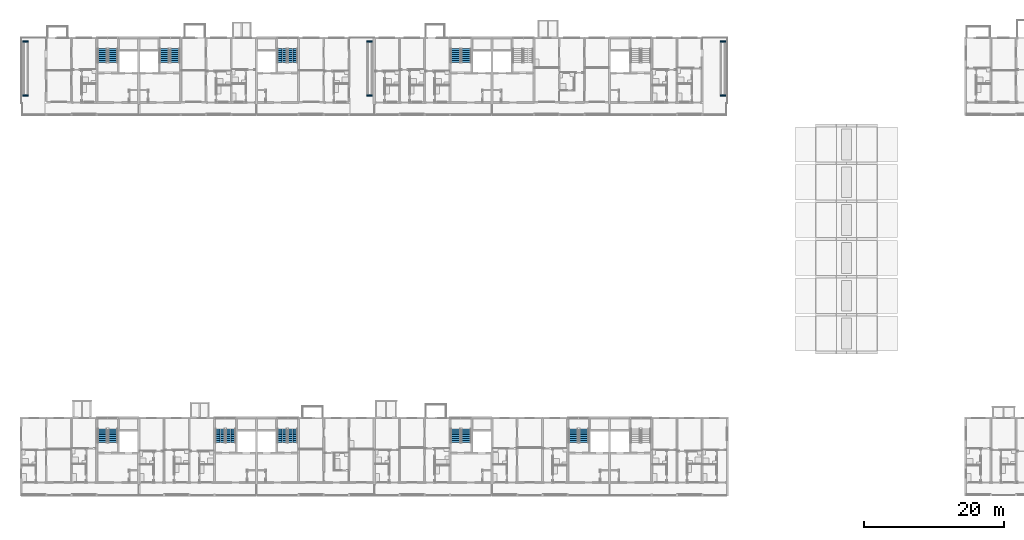
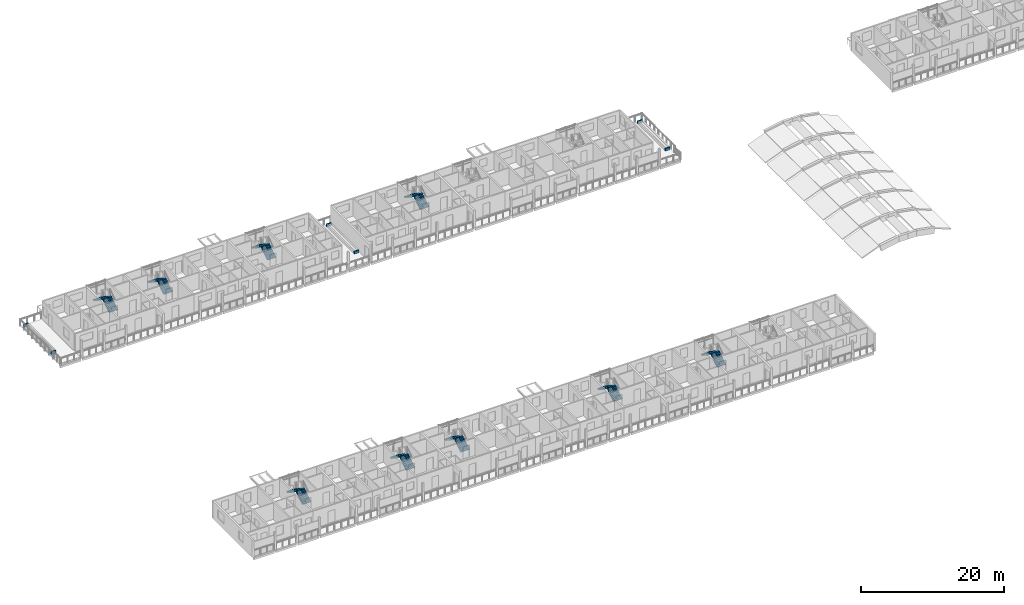
# One storey, part 61 of 93: 18 stair flights, 6 walls, 9 elements without a shape of their own.
"""IFC4 building model written with IfcOpenShell, lengths in metres."""

from ifc_helpers import new_model, si_unit, direction, frame, frame_2d, origin, place, context, subcontext, project, spatial, polyline, rectangle, outline, extrude, material, layer, layer_set, type_object, element, aggregate, save


model = new_model("IFC4")

# Units and contexts
model_context = context("Model", 3, precision=1e-05, world=origin(), true_north=direction((0.0, 1.0)))
body_context = subcontext(model_context, "Body", "Model", "MODEL_VIEW")
ifc_project = project(units=[si_unit("LENGTHUNIT", "METRE"), si_unit("AREAUNIT", "SQUARE_METRE"), si_unit("VOLUMEUNIT", "CUBIC_METRE"), si_unit("PLANEANGLEUNIT", "RADIAN"), si_unit("MASSUNIT", "GRAM", prefix="KILO")], contexts=[model_context])

# Site, building, storey
site_placement = place(None, origin())
site = spatial("IfcSite", under=ifc_project, at=site_placement, CompositionType="ELEMENT")
building_placement = place(site_placement, origin())
building = spatial("IfcBuilding", under=site, at=building_placement, Name="Ridgestep Commons", CompositionType="ELEMENT")
storey_placement = place(building_placement, frame((0.0, 0.0, 18.0)))
storey = spatial("IfcBuildingStorey", under=building, at=storey_placement, Name="L06", CompositionType="ELEMENT", Elevation=18.0)

# Walls
ifc_material_1 = material(Name="Facing brick", Category="masonry")
ifc_layer = layer(ifc_material_1, 0.199951171875)
ifc_layer_set = layer_set([ifc_layer], Name="Planter wall 200")
wall_type = type_object("IfcWallType", Name="Planter wall 200", PredefinedType="SOLIDWALL", material=ifc_layer_set)
for number, where, z_axis, x_axis, name in (
    (1, (12.25, 68.89990234375, 0.010009765625), (0.0, 0.0, 1.0), (1.0, 0.0, 0.0), "Planter wall B1R1S"),
    (2, (12.25, 76.60009765625, 0.010009765625), (0.0, 0.0, 1.0), (1.0, 0.0, 0.0), "Planter wall B1R1N"),
):
    element("IfcWall", number, at=place(storey_placement, frame(where, z_axis=z_axis, x_axis=x_axis)), inside=storey, type_object=wall_type, Name=name, PredefinedType="SOLIDWALL", context=body_context, shape_type="SweptSolid", body=[
        extrude(rectangle(XDim=0.800048828125, YDim=0.199951171875, at=frame_2d((0.39990234375, 0.0))), origin(), (0.0, 0.0, 1.0), 0.449951171875),
    ])
for number, where, z_axis, x_axis, name in (
    (3, (61.35009765625, 68.89990234375, 0.010009765625), (0.0, 0.0, 1.0), (1.0, 0.0, 0.0), "Planter wall B3R1S"),
    (4, (61.35009765625, 76.60009765625, 0.010009765625), (0.0, 0.0, 1.0), (1.0, 0.0, 0.0), "Planter wall B3R1N"),
):
    element("IfcWall", number, at=place(storey_placement, frame(where, z_axis=z_axis, x_axis=x_axis)), inside=storey, type_object=wall_type, Name=name, PredefinedType="SOLIDWALL", context=body_context, shape_type="SweptSolid", body=[
        extrude(rectangle(XDim=0.7998046875, YDim=0.199951171875, at=frame_2d((0.39990234375, 0.0))), origin(), (0.0, 0.0, 1.0), 0.449951171875),
    ])
for number, where, z_axis, x_axis, name in (
    (5, (111.75, 68.89990234375, 0.010009765625), (0.0, 0.0, 1.0), (1.0, 0.0, 0.0), "Planter wall B6R1S"),
    (6, (111.75, 76.60009765625, 0.010009765625), (0.0, 0.0, 1.0), (1.0, 0.0, 0.0), "Planter wall B6R1N"),
):
    element("IfcWall", number, at=place(storey_placement, frame(where, z_axis=z_axis, x_axis=x_axis)), inside=storey, type_object=wall_type, Name=name, PredefinedType="SOLIDWALL", context=body_context, shape_type="SweptSolid", body=[
        extrude(rectangle(XDim=0.800048828125, YDim=0.199951171875, at=frame_2d((0.39990234375, 0.0))), origin(), (0.0, 0.0, 1.0), 0.449951171875),
    ])

# Stair, stair flights
ifc_material_2 = material(Name="Precast concrete C40/50", Category="concrete")
stair_type = type_object("IfcStairType", Name="Escape stair 1400", PredefinedType="HALF_TURN_STAIR", material=ifc_material_2)
stair_1_placement = place(storey_placement, origin())
stair_1 = element("IfcStair", 7, at=stair_1_placement, inside=storey, type_object=stair_type, Name="L06 Escape stair A1C", PredefinedType="HALF_TURN_STAIR")
ifc_material_3 = material(Name="Precast concrete C40/50", Category="concrete")
stair_flight_type = type_object("IfcStairFlightType", Name="Stair flight 1400", PredefinedType="STRAIGHT", material=ifc_material_3)
stair_flight_1_placement = place(storey_placement, frame((25.125, 19.35009765625, 0.0), z_axis=(0.0, 0.0, 1.0), x_axis=(0.0, 1.0, 0.0)))
stair_flight_1 = element("IfcStairFlight", 8, at=stair_flight_1_placement, type_object=stair_flight_type, Name="A1C flight 1", NumberOfRisers=8, NumberOfTreads=7, PredefinedType="STRAIGHT", RiserHeight=0.1875, TreadLength=0.28, context=body_context, shape_type="SweptSolid", body=[
    extrude(outline(polyline([(0.0, 0.0), (0.0, 0.1875), (0.280029296875, 0.1875), (0.280029296875, 0.375), (0.56005859375, 0.375), (0.56005859375, 0.5625), (0.840087890625, 0.5625), (0.840087890625, 0.75), (1.1201171875, 0.75), (1.1201171875, 0.9375), (1.39990234375, 0.9375), (1.39990234375, 1.125), (1.679931640625, 1.125), (1.679931640625, 1.3125), (1.9599609375, 1.3125), (1.9599609375, 1.5), (1.9599609375, 1.132080078125), (0.26953125, 0.0), (0.0, 0.0)])), frame((0.0, 0.699951171875, 0.0), z_axis=(0.0, -1.0, 0.0), x_axis=(1.0, 0.0, 0.0)), (0.0, 0.0, 1.0), 0.695068359375),
    extrude(outline(polyline([(0.0, 0.0), (0.0, 0.1875), (0.280029296875, 0.1875), (0.280029296875, 0.375), (0.56005859375, 0.375), (0.56005859375, 0.5625), (0.840087890625, 0.5625), (0.840087890625, 0.75), (1.1201171875, 0.75), (1.1201171875, 0.9375), (1.39990234375, 0.9375), (1.39990234375, 1.125), (1.679931640625, 1.125), (1.679931640625, 1.3125), (1.9599609375, 1.3125), (1.9599609375, 1.5), (1.9599609375, 1.132080078125), (0.26953125, 0.0), (0.0, 0.0)])), frame((0.0, -0.0048828125, 0.0), z_axis=(0.0, -1.0, 0.0), x_axis=(1.0, 0.0, 0.0)), (0.0, 0.0, 1.0), 0.695068359375),
])
stair_flight_2_placement = place(storey_placement, frame((23.625, 21.31005859375, 1.5), z_axis=(0.0, 0.0, 1.0), x_axis=(0.0, -1.0, 0.0)))
stair_flight_2 = element("IfcStairFlight", 9, at=stair_flight_2_placement, type_object=stair_flight_type, Name="A1C flight 2", NumberOfRisers=8, NumberOfTreads=7, PredefinedType="STRAIGHT", RiserHeight=0.1875, TreadLength=0.28, context=body_context, shape_type="SweptSolid", body=[
    extrude(outline(polyline([(0.0, 0.0), (0.0, 0.1875), (0.280029296875, 0.1875), (0.280029296875, 0.375), (0.56005859375, 0.375), (0.56005859375, 0.5625), (0.840087890625, 0.5625), (0.840087890625, 0.75), (1.1201171875, 0.75), (1.1201171875, 0.9375), (1.39990234375, 0.9375), (1.39990234375, 1.125), (1.679931640625, 1.125), (1.679931640625, 1.3125), (1.9599609375, 1.3125), (1.9599609375, 1.5), (1.9599609375, 1.132080078125), (0.26953125, 0.0), (0.0, 0.0)])), frame((0.0, 0.699951171875, 0.0), z_axis=(0.0, -1.0, 0.0), x_axis=(1.0, 0.0, 0.0)), (0.0, 0.0, 1.0), 0.695068359375),
    extrude(outline(polyline([(0.0, 0.0), (0.0, 0.1875), (0.280029296875, 0.1875), (0.280029296875, 0.375), (0.56005859375, 0.375), (0.56005859375, 0.5625), (0.840087890625, 0.5625), (0.840087890625, 0.75), (1.1201171875, 0.75), (1.1201171875, 0.9375), (1.39990234375, 0.9375), (1.39990234375, 1.125), (1.679931640625, 1.125), (1.679931640625, 1.3125), (1.9599609375, 1.3125), (1.9599609375, 1.5), (1.9599609375, 1.132080078125), (0.26953125, 0.0), (0.0, 0.0)])), frame((0.0, -0.0048828125, 0.0), z_axis=(0.0, -1.0, 0.0), x_axis=(1.0, 0.0, 0.0)), (0.0, 0.0, 1.0), 0.695068359375),
])
aggregate(stair_1, [stair_flight_1, stair_flight_2])

stair_2_placement = place(storey_placement, origin())
stair_2 = element("IfcStair", 10, at=stair_2_placement, inside=storey, type_object=stair_type, Name="L06 Escape stair A2C", PredefinedType="HALF_TURN_STAIR")
stair_flight_3_placement = place(storey_placement, frame((41.925048828125, 19.35009765625, 0.0), z_axis=(0.0, 0.0, 1.0), x_axis=(0.0, 1.0, 0.0)))
stair_flight_3 = element("IfcStairFlight", 11, at=stair_flight_3_placement, type_object=stair_flight_type, Name="A2C flight 1", NumberOfRisers=8, NumberOfTreads=7, PredefinedType="STRAIGHT", RiserHeight=0.1875, TreadLength=0.28, context=body_context, shape_type="SweptSolid", body=[
    extrude(outline(polyline([(0.0, 0.0), (0.0, 0.1875), (0.280029296875, 0.1875), (0.280029296875, 0.375), (0.56005859375, 0.375), (0.56005859375, 0.5625), (0.840087890625, 0.5625), (0.840087890625, 0.75), (1.1201171875, 0.75), (1.1201171875, 0.9375), (1.39990234375, 0.9375), (1.39990234375, 1.125), (1.679931640625, 1.125), (1.679931640625, 1.3125), (1.9599609375, 1.3125), (1.9599609375, 1.5), (1.9599609375, 1.132080078125), (0.26953125, 0.0), (0.0, 0.0)])), frame((0.0, 0.699951171875, 0.0), z_axis=(0.0, -1.0, 0.0), x_axis=(1.0, 0.0, 0.0)), (0.0, 0.0, 1.0), 0.695068359375),
    extrude(outline(polyline([(0.0, 0.0), (0.0, 0.1875), (0.280029296875, 0.1875), (0.280029296875, 0.375), (0.56005859375, 0.375), (0.56005859375, 0.5625), (0.840087890625, 0.5625), (0.840087890625, 0.75), (1.1201171875, 0.75), (1.1201171875, 0.9375), (1.39990234375, 0.9375), (1.39990234375, 1.125), (1.679931640625, 1.125), (1.679931640625, 1.3125), (1.9599609375, 1.3125), (1.9599609375, 1.5), (1.9599609375, 1.132080078125), (0.26953125, 0.0), (0.0, 0.0)])), frame((0.0, -0.0048828125, 0.0), z_axis=(0.0, -1.0, 0.0), x_axis=(1.0, 0.0, 0.0)), (0.0, 0.0, 1.0), 0.695068359375),
])
stair_flight_4_placement = place(storey_placement, frame((40.425048828125, 21.31005859375, 1.5), z_axis=(0.0, 0.0, 1.0), x_axis=(0.0, -1.0, 0.0)))
stair_flight_4 = element("IfcStairFlight", 12, at=stair_flight_4_placement, type_object=stair_flight_type, Name="A2C flight 2", NumberOfRisers=8, NumberOfTreads=7, PredefinedType="STRAIGHT", RiserHeight=0.1875, TreadLength=0.28, context=body_context, shape_type="SweptSolid", body=[
    extrude(outline(polyline([(0.0, 0.0), (0.0, 0.1875), (0.280029296875, 0.1875), (0.280029296875, 0.375), (0.56005859375, 0.375), (0.56005859375, 0.5625), (0.840087890625, 0.5625), (0.840087890625, 0.75), (1.1201171875, 0.75), (1.1201171875, 0.9375), (1.39990234375, 0.9375), (1.39990234375, 1.125), (1.679931640625, 1.125), (1.679931640625, 1.3125), (1.9599609375, 1.3125), (1.9599609375, 1.5), (1.9599609375, 1.132080078125), (0.26953125, 0.0), (0.0, 0.0)])), frame((0.0, 0.699951171875, 0.0), z_axis=(0.0, -1.0, 0.0), x_axis=(1.0, 0.0, 0.0)), (0.0, 0.0, 1.0), 0.695068359375),
    extrude(outline(polyline([(0.0, 0.0), (0.0, 0.1875), (0.280029296875, 0.1875), (0.280029296875, 0.375), (0.56005859375, 0.375), (0.56005859375, 0.5625), (0.840087890625, 0.5625), (0.840087890625, 0.75), (1.1201171875, 0.75), (1.1201171875, 0.9375), (1.39990234375, 0.9375), (1.39990234375, 1.125), (1.679931640625, 1.125), (1.679931640625, 1.3125), (1.9599609375, 1.3125), (1.9599609375, 1.5), (1.9599609375, 1.132080078125), (0.26953125, 0.0), (0.0, 0.0)])), frame((0.0, -0.0048828125, 0.0), z_axis=(0.0, -1.0, 0.0), x_axis=(1.0, 0.0, 0.0)), (0.0, 0.0, 1.0), 0.695068359375),
])
aggregate(stair_2, [stair_flight_3, stair_flight_4])

stair_3_placement = place(storey_placement, origin())
stair_3 = element("IfcStair", 13, at=stair_3_placement, inside=storey, type_object=stair_type, Name="L06 Escape stair A3C", PredefinedType="HALF_TURN_STAIR")
stair_flight_5_placement = place(storey_placement, frame((50.77490234375, 19.35009765625, 0.0), z_axis=(0.0, 0.0, 1.0), x_axis=(0.0, 1.0, 0.0)))
stair_flight_5 = element("IfcStairFlight", 14, at=stair_flight_5_placement, type_object=stair_flight_type, Name="A3C flight 1", NumberOfRisers=8, NumberOfTreads=7, PredefinedType="STRAIGHT", RiserHeight=0.1875, TreadLength=0.28, context=body_context, shape_type="SweptSolid", body=[
    extrude(outline(polyline([(0.0, 0.0), (0.0, 0.1875), (0.280029296875, 0.1875), (0.280029296875, 0.375), (0.56005859375, 0.375), (0.56005859375, 0.5625), (0.840087890625, 0.5625), (0.840087890625, 0.75), (1.1201171875, 0.75), (1.1201171875, 0.9375), (1.39990234375, 0.9375), (1.39990234375, 1.125), (1.679931640625, 1.125), (1.679931640625, 1.3125), (1.9599609375, 1.3125), (1.9599609375, 1.5), (1.9599609375, 1.132080078125), (0.26953125, 0.0), (0.0, 0.0)])), frame((0.0, 0.699951171875, 0.0), z_axis=(0.0, -1.0, 0.0), x_axis=(1.0, 0.0, 0.0)), (0.0, 0.0, 1.0), 0.695068359375),
    extrude(outline(polyline([(0.0, 0.0), (0.0, 0.1875), (0.280029296875, 0.1875), (0.280029296875, 0.375), (0.56005859375, 0.375), (0.56005859375, 0.5625), (0.840087890625, 0.5625), (0.840087890625, 0.75), (1.1201171875, 0.75), (1.1201171875, 0.9375), (1.39990234375, 0.9375), (1.39990234375, 1.125), (1.679931640625, 1.125), (1.679931640625, 1.3125), (1.9599609375, 1.3125), (1.9599609375, 1.5), (1.9599609375, 1.132080078125), (0.26953125, 0.0), (0.0, 0.0)])), frame((0.0, -0.0048828125, 0.0), z_axis=(0.0, -1.0, 0.0), x_axis=(1.0, 0.0, 0.0)), (0.0, 0.0, 1.0), 0.695068359375),
])
stair_flight_6_placement = place(storey_placement, frame((49.27490234375, 21.31005859375, 1.5), z_axis=(0.0, 0.0, 1.0), x_axis=(0.0, -1.0, 0.0)))
stair_flight_6 = element("IfcStairFlight", 15, at=stair_flight_6_placement, type_object=stair_flight_type, Name="A3C flight 2", NumberOfRisers=8, NumberOfTreads=7, PredefinedType="STRAIGHT", RiserHeight=0.1875, TreadLength=0.28, context=body_context, shape_type="SweptSolid", body=[
    extrude(outline(polyline([(0.0, 0.0), (0.0, 0.1875), (0.280029296875, 0.1875), (0.280029296875, 0.375), (0.56005859375, 0.375), (0.56005859375, 0.5625), (0.840087890625, 0.5625), (0.840087890625, 0.75), (1.1201171875, 0.75), (1.1201171875, 0.9375), (1.39990234375, 0.9375), (1.39990234375, 1.125), (1.679931640625, 1.125), (1.679931640625, 1.3125), (1.9599609375, 1.3125), (1.9599609375, 1.5), (1.9599609375, 1.132080078125), (0.26953125, 0.0), (0.0, 0.0)])), frame((0.0, 0.699951171875, 0.0), z_axis=(0.0, -1.0, 0.0), x_axis=(1.0, 0.0, 0.0)), (0.0, 0.0, 1.0), 0.695068359375),
    extrude(outline(polyline([(0.0, 0.0), (0.0, 0.1875), (0.280029296875, 0.1875), (0.280029296875, 0.375), (0.56005859375, 0.375), (0.56005859375, 0.5625), (0.840087890625, 0.5625), (0.840087890625, 0.75), (1.1201171875, 0.75), (1.1201171875, 0.9375), (1.39990234375, 0.9375), (1.39990234375, 1.125), (1.679931640625, 1.125), (1.679931640625, 1.3125), (1.9599609375, 1.3125), (1.9599609375, 1.5), (1.9599609375, 1.132080078125), (0.26953125, 0.0), (0.0, 0.0)])), frame((0.0, -0.0048828125, 0.0), z_axis=(0.0, -1.0, 0.0), x_axis=(1.0, 0.0, 0.0)), (0.0, 0.0, 1.0), 0.695068359375),
])
aggregate(stair_3, [stair_flight_5, stair_flight_6])

stair_4_placement = place(storey_placement, origin())
stair_4 = element("IfcStair", 16, at=stair_4_placement, inside=storey, type_object=stair_type, Name="L06 Escape stair A4C", PredefinedType="HALF_TURN_STAIR")
stair_flight_7_placement = place(storey_placement, frame((75.52490234375, 19.35009765625, 0.0), z_axis=(0.0, 0.0, 1.0), x_axis=(0.0, 1.0, 0.0)))
stair_flight_7 = element("IfcStairFlight", 17, at=stair_flight_7_placement, type_object=stair_flight_type, Name="A4C flight 1", NumberOfRisers=8, NumberOfTreads=7, PredefinedType="STRAIGHT", RiserHeight=0.1875, TreadLength=0.28, context=body_context, shape_type="SweptSolid", body=[
    extrude(outline(polyline([(0.0, 0.0), (0.0, 0.1875), (0.280029296875, 0.1875), (0.280029296875, 0.375), (0.56005859375, 0.375), (0.56005859375, 0.5625), (0.840087890625, 0.5625), (0.840087890625, 0.75), (1.1201171875, 0.75), (1.1201171875, 0.9375), (1.39990234375, 0.9375), (1.39990234375, 1.125), (1.679931640625, 1.125), (1.679931640625, 1.3125), (1.9599609375, 1.3125), (1.9599609375, 1.5), (1.9599609375, 1.132080078125), (0.26953125, 0.0), (0.0, 0.0)])), frame((0.0, 0.699951171875, 0.0), z_axis=(0.0, -1.0, 0.0), x_axis=(1.0, 0.0, 0.0)), (0.0, 0.0, 1.0), 0.695068359375),
    extrude(outline(polyline([(0.0, 0.0), (0.0, 0.1875), (0.280029296875, 0.1875), (0.280029296875, 0.375), (0.56005859375, 0.375), (0.56005859375, 0.5625), (0.840087890625, 0.5625), (0.840087890625, 0.75), (1.1201171875, 0.75), (1.1201171875, 0.9375), (1.39990234375, 0.9375), (1.39990234375, 1.125), (1.679931640625, 1.125), (1.679931640625, 1.3125), (1.9599609375, 1.3125), (1.9599609375, 1.5), (1.9599609375, 1.132080078125), (0.26953125, 0.0), (0.0, 0.0)])), frame((0.0, -0.0048828125, 0.0), z_axis=(0.0, -1.0, 0.0), x_axis=(1.0, 0.0, 0.0)), (0.0, 0.0, 1.0), 0.695068359375),
])
stair_flight_8_placement = place(storey_placement, frame((74.02490234375, 21.31005859375, 1.5), z_axis=(0.0, 0.0, 1.0), x_axis=(0.0, -1.0, 0.0)))
stair_flight_8 = element("IfcStairFlight", 18, at=stair_flight_8_placement, type_object=stair_flight_type, Name="A4C flight 2", NumberOfRisers=8, NumberOfTreads=7, PredefinedType="STRAIGHT", RiserHeight=0.1875, TreadLength=0.28, context=body_context, shape_type="SweptSolid", body=[
    extrude(outline(polyline([(0.0, 0.0), (0.0, 0.1875), (0.280029296875, 0.1875), (0.280029296875, 0.375), (0.56005859375, 0.375), (0.56005859375, 0.5625), (0.840087890625, 0.5625), (0.840087890625, 0.75), (1.1201171875, 0.75), (1.1201171875, 0.9375), (1.39990234375, 0.9375), (1.39990234375, 1.125), (1.679931640625, 1.125), (1.679931640625, 1.3125), (1.9599609375, 1.3125), (1.9599609375, 1.5), (1.9599609375, 1.132080078125), (0.26953125, 0.0), (0.0, 0.0)])), frame((0.0, 0.699951171875, 0.0), z_axis=(0.0, -1.0, 0.0), x_axis=(1.0, 0.0, 0.0)), (0.0, 0.0, 1.0), 0.695068359375),
    extrude(outline(polyline([(0.0, 0.0), (0.0, 0.1875), (0.280029296875, 0.1875), (0.280029296875, 0.375), (0.56005859375, 0.375), (0.56005859375, 0.5625), (0.840087890625, 0.5625), (0.840087890625, 0.75), (1.1201171875, 0.75), (1.1201171875, 0.9375), (1.39990234375, 0.9375), (1.39990234375, 1.125), (1.679931640625, 1.125), (1.679931640625, 1.3125), (1.9599609375, 1.3125), (1.9599609375, 1.5), (1.9599609375, 1.132080078125), (0.26953125, 0.0), (0.0, 0.0)])), frame((0.0, -0.0048828125, 0.0), z_axis=(0.0, -1.0, 0.0), x_axis=(1.0, 0.0, 0.0)), (0.0, 0.0, 1.0), 0.695068359375),
])
aggregate(stair_4, [stair_flight_7, stair_flight_8])

stair_5_placement = place(storey_placement, origin())
stair_5 = element("IfcStair", 19, at=stair_5_placement, inside=storey, type_object=stair_type, Name="L06 Escape stair A5C", PredefinedType="HALF_TURN_STAIR")
stair_flight_9_placement = place(storey_placement, frame((92.324951171875, 19.35009765625, 0.0), z_axis=(0.0, 0.0, 1.0), x_axis=(0.0, 1.0, 0.0)))
stair_flight_9 = element("IfcStairFlight", 20, at=stair_flight_9_placement, type_object=stair_flight_type, Name="A5C flight 1", NumberOfRisers=8, NumberOfTreads=7, PredefinedType="STRAIGHT", RiserHeight=0.1875, TreadLength=0.28, context=body_context, shape_type="SweptSolid", body=[
    extrude(outline(polyline([(0.0, 0.0), (0.0, 0.1875), (0.280029296875, 0.1875), (0.280029296875, 0.375), (0.56005859375, 0.375), (0.56005859375, 0.5625), (0.840087890625, 0.5625), (0.840087890625, 0.75), (1.1201171875, 0.75), (1.1201171875, 0.9375), (1.39990234375, 0.9375), (1.39990234375, 1.125), (1.679931640625, 1.125), (1.679931640625, 1.3125), (1.9599609375, 1.3125), (1.9599609375, 1.5), (1.9599609375, 1.132080078125), (0.26953125, 0.0), (0.0, 0.0)])), frame((0.0, 0.699951171875, 0.0), z_axis=(0.0, -1.0, 0.0), x_axis=(1.0, 0.0, 0.0)), (0.0, 0.0, 1.0), 0.695068359375),
    extrude(outline(polyline([(0.0, 0.0), (0.0, 0.1875), (0.280029296875, 0.1875), (0.280029296875, 0.375), (0.56005859375, 0.375), (0.56005859375, 0.5625), (0.840087890625, 0.5625), (0.840087890625, 0.75), (1.1201171875, 0.75), (1.1201171875, 0.9375), (1.39990234375, 0.9375), (1.39990234375, 1.125), (1.679931640625, 1.125), (1.679931640625, 1.3125), (1.9599609375, 1.3125), (1.9599609375, 1.5), (1.9599609375, 1.132080078125), (0.26953125, 0.0), (0.0, 0.0)])), frame((0.0, -0.0048828125, 0.0), z_axis=(0.0, -1.0, 0.0), x_axis=(1.0, 0.0, 0.0)), (0.0, 0.0, 1.0), 0.695068359375),
])
stair_flight_10_placement = place(storey_placement, frame((90.824951171875, 21.31005859375, 1.5), z_axis=(0.0, 0.0, 1.0), x_axis=(0.0, -1.0, 0.0)))
stair_flight_10 = element("IfcStairFlight", 21, at=stair_flight_10_placement, type_object=stair_flight_type, Name="A5C flight 2", NumberOfRisers=8, NumberOfTreads=7, PredefinedType="STRAIGHT", RiserHeight=0.1875, TreadLength=0.28, context=body_context, shape_type="SweptSolid", body=[
    extrude(outline(polyline([(0.0, 0.0), (0.0, 0.1875), (0.280029296875, 0.1875), (0.280029296875, 0.375), (0.56005859375, 0.375), (0.56005859375, 0.5625), (0.840087890625, 0.5625), (0.840087890625, 0.75), (1.1201171875, 0.75), (1.1201171875, 0.9375), (1.39990234375, 0.9375), (1.39990234375, 1.125), (1.679931640625, 1.125), (1.679931640625, 1.3125), (1.9599609375, 1.3125), (1.9599609375, 1.5), (1.9599609375, 1.132080078125), (0.26953125, 0.0), (0.0, 0.0)])), frame((0.0, 0.699951171875, 0.0), z_axis=(0.0, -1.0, 0.0), x_axis=(1.0, 0.0, 0.0)), (0.0, 0.0, 1.0), 0.695068359375),
    extrude(outline(polyline([(0.0, 0.0), (0.0, 0.1875), (0.280029296875, 0.1875), (0.280029296875, 0.375), (0.56005859375, 0.375), (0.56005859375, 0.5625), (0.840087890625, 0.5625), (0.840087890625, 0.75), (1.1201171875, 0.75), (1.1201171875, 0.9375), (1.39990234375, 0.9375), (1.39990234375, 1.125), (1.679931640625, 1.125), (1.679931640625, 1.3125), (1.9599609375, 1.3125), (1.9599609375, 1.5), (1.9599609375, 1.132080078125), (0.26953125, 0.0), (0.0, 0.0)])), frame((0.0, -0.0048828125, 0.0), z_axis=(0.0, -1.0, 0.0), x_axis=(1.0, 0.0, 0.0)), (0.0, 0.0, 1.0), 0.695068359375),
])
aggregate(stair_5, [stair_flight_9, stair_flight_10])

stair_6_placement = place(storey_placement, origin())
stair_6 = element("IfcStair", 22, at=stair_6_placement, inside=storey, type_object=stair_type, Name="L06 Escape stair B1C", PredefinedType="HALF_TURN_STAIR")
stair_flight_11_placement = place(storey_placement, frame((25.125, 73.60009765625, 0.0), z_axis=(0.0, 0.0, 1.0), x_axis=(0.0, 1.0, 0.0)))
stair_flight_11 = element("IfcStairFlight", 23, at=stair_flight_11_placement, type_object=stair_flight_type, Name="B1C flight 1", NumberOfRisers=8, NumberOfTreads=7, PredefinedType="STRAIGHT", RiserHeight=0.1875, TreadLength=0.28, context=body_context, shape_type="SweptSolid", body=[
    extrude(outline(polyline([(0.0, 0.0), (0.0, 0.1875), (0.280029296875, 0.1875), (0.280029296875, 0.375), (0.56005859375, 0.375), (0.56005859375, 0.5625), (0.840087890625, 0.5625), (0.840087890625, 0.75), (1.1201171875, 0.75), (1.1201171875, 0.9375), (1.39990234375, 0.9375), (1.39990234375, 1.125), (1.679931640625, 1.125), (1.679931640625, 1.3125), (1.9599609375, 1.3125), (1.9599609375, 1.5), (1.9599609375, 1.132080078125), (0.26953125, 0.0), (0.0, 0.0)])), frame((0.0, 0.699951171875, 0.0), z_axis=(0.0, -1.0, 0.0), x_axis=(1.0, 0.0, 0.0)), (0.0, 0.0, 1.0), 0.695068359375),
    extrude(outline(polyline([(0.0, 0.0), (0.0, 0.1875), (0.280029296875, 0.1875), (0.280029296875, 0.375), (0.56005859375, 0.375), (0.56005859375, 0.5625), (0.840087890625, 0.5625), (0.840087890625, 0.75), (1.1201171875, 0.75), (1.1201171875, 0.9375), (1.39990234375, 0.9375), (1.39990234375, 1.125), (1.679931640625, 1.125), (1.679931640625, 1.3125), (1.9599609375, 1.3125), (1.9599609375, 1.5), (1.9599609375, 1.132080078125), (0.26953125, 0.0), (0.0, 0.0)])), frame((0.0, -0.0048828125, 0.0), z_axis=(0.0, -1.0, 0.0), x_axis=(1.0, 0.0, 0.0)), (0.0, 0.0, 1.0), 0.695068359375),
])
stair_flight_12_placement = place(storey_placement, frame((23.625, 75.56005859375, 1.5), z_axis=(0.0, 0.0, 1.0), x_axis=(0.0, -1.0, 0.0)))
stair_flight_12 = element("IfcStairFlight", 24, at=stair_flight_12_placement, type_object=stair_flight_type, Name="B1C flight 2", NumberOfRisers=8, NumberOfTreads=7, PredefinedType="STRAIGHT", RiserHeight=0.1875, TreadLength=0.28, context=body_context, shape_type="SweptSolid", body=[
    extrude(outline(polyline([(0.0, 0.0), (0.0, 0.1875), (0.280029296875, 0.1875), (0.280029296875, 0.375), (0.56005859375, 0.375), (0.56005859375, 0.5625), (0.840087890625, 0.5625), (0.840087890625, 0.75), (1.1201171875, 0.75), (1.1201171875, 0.9375), (1.39990234375, 0.9375), (1.39990234375, 1.125), (1.679931640625, 1.125), (1.679931640625, 1.3125), (1.9599609375, 1.3125), (1.9599609375, 1.5), (1.9599609375, 1.132080078125), (0.26953125, 0.0), (0.0, 0.0)])), frame((0.0, 0.699951171875, 0.0), z_axis=(0.0, -1.0, 0.0), x_axis=(1.0, 0.0, 0.0)), (0.0, 0.0, 1.0), 0.695068359375),
    extrude(outline(polyline([(0.0, 0.0), (0.0, 0.1875), (0.280029296875, 0.1875), (0.280029296875, 0.375), (0.56005859375, 0.375), (0.56005859375, 0.5625), (0.840087890625, 0.5625), (0.840087890625, 0.75), (1.1201171875, 0.75), (1.1201171875, 0.9375), (1.39990234375, 0.9375), (1.39990234375, 1.125), (1.679931640625, 1.125), (1.679931640625, 1.3125), (1.9599609375, 1.3125), (1.9599609375, 1.5), (1.9599609375, 1.132080078125), (0.26953125, 0.0), (0.0, 0.0)])), frame((0.0, -0.0048828125, 0.0), z_axis=(0.0, -1.0, 0.0), x_axis=(1.0, 0.0, 0.0)), (0.0, 0.0, 1.0), 0.695068359375),
])
aggregate(stair_6, [stair_flight_11, stair_flight_12])

stair_7_placement = place(storey_placement, origin())
stair_7 = element("IfcStair", 25, at=stair_7_placement, inside=storey, type_object=stair_type, Name="L06 Escape stair B2C", PredefinedType="HALF_TURN_STAIR")
stair_flight_13_placement = place(storey_placement, frame((33.97509765625, 73.60009765625, 0.0), z_axis=(0.0, 0.0, 1.0), x_axis=(0.0, 1.0, 0.0)))
stair_flight_13 = element("IfcStairFlight", 26, at=stair_flight_13_placement, type_object=stair_flight_type, Name="B2C flight 1", NumberOfRisers=8, NumberOfTreads=7, PredefinedType="STRAIGHT", RiserHeight=0.1875, TreadLength=0.28, context=body_context, shape_type="SweptSolid", body=[
    extrude(outline(polyline([(0.0, 0.0), (0.0, 0.1875), (0.280029296875, 0.1875), (0.280029296875, 0.375), (0.56005859375, 0.375), (0.56005859375, 0.5625), (0.840087890625, 0.5625), (0.840087890625, 0.75), (1.1201171875, 0.75), (1.1201171875, 0.9375), (1.39990234375, 0.9375), (1.39990234375, 1.125), (1.679931640625, 1.125), (1.679931640625, 1.3125), (1.9599609375, 1.3125), (1.9599609375, 1.5), (1.9599609375, 1.132080078125), (0.26953125, 0.0), (0.0, 0.0)])), frame((0.0, 0.699951171875, 0.0), z_axis=(0.0, -1.0, 0.0), x_axis=(1.0, 0.0, 0.0)), (0.0, 0.0, 1.0), 0.695068359375),
    extrude(outline(polyline([(0.0, 0.0), (0.0, 0.1875), (0.280029296875, 0.1875), (0.280029296875, 0.375), (0.56005859375, 0.375), (0.56005859375, 0.5625), (0.840087890625, 0.5625), (0.840087890625, 0.75), (1.1201171875, 0.75), (1.1201171875, 0.9375), (1.39990234375, 0.9375), (1.39990234375, 1.125), (1.679931640625, 1.125), (1.679931640625, 1.3125), (1.9599609375, 1.3125), (1.9599609375, 1.5), (1.9599609375, 1.132080078125), (0.26953125, 0.0), (0.0, 0.0)])), frame((0.0, -0.0048828125, 0.0), z_axis=(0.0, -1.0, 0.0), x_axis=(1.0, 0.0, 0.0)), (0.0, 0.0, 1.0), 0.695068359375),
])
stair_flight_14_placement = place(storey_placement, frame((32.47509765625, 75.56005859375, 1.5), z_axis=(0.0, 0.0, 1.0), x_axis=(0.0, -1.0, 0.0)))
stair_flight_14 = element("IfcStairFlight", 27, at=stair_flight_14_placement, type_object=stair_flight_type, Name="B2C flight 2", NumberOfRisers=8, NumberOfTreads=7, PredefinedType="STRAIGHT", RiserHeight=0.1875, TreadLength=0.28, context=body_context, shape_type="SweptSolid", body=[
    extrude(outline(polyline([(0.0, 0.0), (0.0, 0.1875), (0.280029296875, 0.1875), (0.280029296875, 0.375), (0.56005859375, 0.375), (0.56005859375, 0.5625), (0.840087890625, 0.5625), (0.840087890625, 0.75), (1.1201171875, 0.75), (1.1201171875, 0.9375), (1.39990234375, 0.9375), (1.39990234375, 1.125), (1.679931640625, 1.125), (1.679931640625, 1.3125), (1.9599609375, 1.3125), (1.9599609375, 1.5), (1.9599609375, 1.132080078125), (0.26953125, 0.0), (0.0, 0.0)])), frame((0.0, 0.699951171875, 0.0), z_axis=(0.0, -1.0, 0.0), x_axis=(1.0, 0.0, 0.0)), (0.0, 0.0, 1.0), 0.695068359375),
    extrude(outline(polyline([(0.0, 0.0), (0.0, 0.1875), (0.280029296875, 0.1875), (0.280029296875, 0.375), (0.56005859375, 0.375), (0.56005859375, 0.5625), (0.840087890625, 0.5625), (0.840087890625, 0.75), (1.1201171875, 0.75), (1.1201171875, 0.9375), (1.39990234375, 0.9375), (1.39990234375, 1.125), (1.679931640625, 1.125), (1.679931640625, 1.3125), (1.9599609375, 1.3125), (1.9599609375, 1.5), (1.9599609375, 1.132080078125), (0.26953125, 0.0), (0.0, 0.0)])), frame((0.0, -0.0048828125, 0.0), z_axis=(0.0, -1.0, 0.0), x_axis=(1.0, 0.0, 0.0)), (0.0, 0.0, 1.0), 0.695068359375),
])
aggregate(stair_7, [stair_flight_13, stair_flight_14])

stair_8_placement = place(storey_placement, origin())
stair_8 = element("IfcStair", 28, at=stair_8_placement, inside=storey, type_object=stair_type, Name="L06 Escape stair B3C", PredefinedType="HALF_TURN_STAIR")
stair_flight_15_placement = place(storey_placement, frame((50.77490234375, 73.60009765625, 0.0), z_axis=(0.0, 0.0, 1.0), x_axis=(0.0, 1.0, 0.0)))
stair_flight_15 = element("IfcStairFlight", 29, at=stair_flight_15_placement, type_object=stair_flight_type, Name="B3C flight 1", NumberOfRisers=8, NumberOfTreads=7, PredefinedType="STRAIGHT", RiserHeight=0.1875, TreadLength=0.28, context=body_context, shape_type="SweptSolid", body=[
    extrude(outline(polyline([(0.0, 0.0), (0.0, 0.1875), (0.280029296875, 0.1875), (0.280029296875, 0.375), (0.56005859375, 0.375), (0.56005859375, 0.5625), (0.840087890625, 0.5625), (0.840087890625, 0.75), (1.1201171875, 0.75), (1.1201171875, 0.9375), (1.39990234375, 0.9375), (1.39990234375, 1.125), (1.679931640625, 1.125), (1.679931640625, 1.3125), (1.9599609375, 1.3125), (1.9599609375, 1.5), (1.9599609375, 1.132080078125), (0.26953125, 0.0), (0.0, 0.0)])), frame((0.0, 0.699951171875, 0.0), z_axis=(0.0, -1.0, 0.0), x_axis=(1.0, 0.0, 0.0)), (0.0, 0.0, 1.0), 0.695068359375),
    extrude(outline(polyline([(0.0, 0.0), (0.0, 0.1875), (0.280029296875, 0.1875), (0.280029296875, 0.375), (0.56005859375, 0.375), (0.56005859375, 0.5625), (0.840087890625, 0.5625), (0.840087890625, 0.75), (1.1201171875, 0.75), (1.1201171875, 0.9375), (1.39990234375, 0.9375), (1.39990234375, 1.125), (1.679931640625, 1.125), (1.679931640625, 1.3125), (1.9599609375, 1.3125), (1.9599609375, 1.5), (1.9599609375, 1.132080078125), (0.26953125, 0.0), (0.0, 0.0)])), frame((0.0, -0.0048828125, 0.0), z_axis=(0.0, -1.0, 0.0), x_axis=(1.0, 0.0, 0.0)), (0.0, 0.0, 1.0), 0.695068359375),
])
stair_flight_16_placement = place(storey_placement, frame((49.27490234375, 75.56005859375, 1.5), z_axis=(0.0, 0.0, 1.0), x_axis=(0.0, -1.0, 0.0)))
stair_flight_16 = element("IfcStairFlight", 30, at=stair_flight_16_placement, type_object=stair_flight_type, Name="B3C flight 2", NumberOfRisers=8, NumberOfTreads=7, PredefinedType="STRAIGHT", RiserHeight=0.1875, TreadLength=0.28, context=body_context, shape_type="SweptSolid", body=[
    extrude(outline(polyline([(0.0, 0.0), (0.0, 0.1875), (0.280029296875, 0.1875), (0.280029296875, 0.375), (0.56005859375, 0.375), (0.56005859375, 0.5625), (0.840087890625, 0.5625), (0.840087890625, 0.75), (1.1201171875, 0.75), (1.1201171875, 0.9375), (1.39990234375, 0.9375), (1.39990234375, 1.125), (1.679931640625, 1.125), (1.679931640625, 1.3125), (1.9599609375, 1.3125), (1.9599609375, 1.5), (1.9599609375, 1.132080078125), (0.26953125, 0.0), (0.0, 0.0)])), frame((0.0, 0.699951171875, 0.0), z_axis=(0.0, -1.0, 0.0), x_axis=(1.0, 0.0, 0.0)), (0.0, 0.0, 1.0), 0.695068359375),
    extrude(outline(polyline([(0.0, 0.0), (0.0, 0.1875), (0.280029296875, 0.1875), (0.280029296875, 0.375), (0.56005859375, 0.375), (0.56005859375, 0.5625), (0.840087890625, 0.5625), (0.840087890625, 0.75), (1.1201171875, 0.75), (1.1201171875, 0.9375), (1.39990234375, 0.9375), (1.39990234375, 1.125), (1.679931640625, 1.125), (1.679931640625, 1.3125), (1.9599609375, 1.3125), (1.9599609375, 1.5), (1.9599609375, 1.132080078125), (0.26953125, 0.0), (0.0, 0.0)])), frame((0.0, -0.0048828125, 0.0), z_axis=(0.0, -1.0, 0.0), x_axis=(1.0, 0.0, 0.0)), (0.0, 0.0, 1.0), 0.695068359375),
])
aggregate(stair_8, [stair_flight_15, stair_flight_16])

stair_9_placement = place(storey_placement, origin())
stair_9 = element("IfcStair", 31, at=stair_9_placement, inside=storey, type_object=stair_type, Name="L06 Escape stair B4C", PredefinedType="HALF_TURN_STAIR")
stair_flight_17_placement = place(storey_placement, frame((75.52490234375, 73.60009765625, 0.0), z_axis=(0.0, 0.0, 1.0), x_axis=(0.0, 1.0, 0.0)))
stair_flight_17 = element("IfcStairFlight", 32, at=stair_flight_17_placement, type_object=stair_flight_type, Name="B4C flight 1", NumberOfRisers=8, NumberOfTreads=7, PredefinedType="STRAIGHT", RiserHeight=0.1875, TreadLength=0.28, context=body_context, shape_type="SweptSolid", body=[
    extrude(outline(polyline([(0.0, 0.0), (0.0, 0.1875), (0.280029296875, 0.1875), (0.280029296875, 0.375), (0.56005859375, 0.375), (0.56005859375, 0.5625), (0.840087890625, 0.5625), (0.840087890625, 0.75), (1.1201171875, 0.75), (1.1201171875, 0.9375), (1.39990234375, 0.9375), (1.39990234375, 1.125), (1.679931640625, 1.125), (1.679931640625, 1.3125), (1.9599609375, 1.3125), (1.9599609375, 1.5), (1.9599609375, 1.132080078125), (0.26953125, 0.0), (0.0, 0.0)])), frame((0.0, 0.699951171875, 0.0), z_axis=(0.0, -1.0, 0.0), x_axis=(1.0, 0.0, 0.0)), (0.0, 0.0, 1.0), 0.695068359375),
    extrude(outline(polyline([(0.0, 0.0), (0.0, 0.1875), (0.280029296875, 0.1875), (0.280029296875, 0.375), (0.56005859375, 0.375), (0.56005859375, 0.5625), (0.840087890625, 0.5625), (0.840087890625, 0.75), (1.1201171875, 0.75), (1.1201171875, 0.9375), (1.39990234375, 0.9375), (1.39990234375, 1.125), (1.679931640625, 1.125), (1.679931640625, 1.3125), (1.9599609375, 1.3125), (1.9599609375, 1.5), (1.9599609375, 1.132080078125), (0.26953125, 0.0), (0.0, 0.0)])), frame((0.0, -0.0048828125, 0.0), z_axis=(0.0, -1.0, 0.0), x_axis=(1.0, 0.0, 0.0)), (0.0, 0.0, 1.0), 0.695068359375),
])
stair_flight_18_placement = place(storey_placement, frame((74.02490234375, 75.56005859375, 1.5), z_axis=(0.0, 0.0, 1.0), x_axis=(0.0, -1.0, 0.0)))
stair_flight_18 = element("IfcStairFlight", 33, at=stair_flight_18_placement, type_object=stair_flight_type, Name="B4C flight 2", NumberOfRisers=8, NumberOfTreads=7, PredefinedType="STRAIGHT", RiserHeight=0.1875, TreadLength=0.28, context=body_context, shape_type="SweptSolid", body=[
    extrude(outline(polyline([(0.0, 0.0), (0.0, 0.1875), (0.280029296875, 0.1875), (0.280029296875, 0.375), (0.56005859375, 0.375), (0.56005859375, 0.5625), (0.840087890625, 0.5625), (0.840087890625, 0.75), (1.1201171875, 0.75), (1.1201171875, 0.9375), (1.39990234375, 0.9375), (1.39990234375, 1.125), (1.679931640625, 1.125), (1.679931640625, 1.3125), (1.9599609375, 1.3125), (1.9599609375, 1.5), (1.9599609375, 1.132080078125), (0.26953125, 0.0), (0.0, 0.0)])), frame((0.0, 0.699951171875, 0.0), z_axis=(0.0, -1.0, 0.0), x_axis=(1.0, 0.0, 0.0)), (0.0, 0.0, 1.0), 0.695068359375),
    extrude(outline(polyline([(0.0, 0.0), (0.0, 0.1875), (0.280029296875, 0.1875), (0.280029296875, 0.375), (0.56005859375, 0.375), (0.56005859375, 0.5625), (0.840087890625, 0.5625), (0.840087890625, 0.75), (1.1201171875, 0.75), (1.1201171875, 0.9375), (1.39990234375, 0.9375), (1.39990234375, 1.125), (1.679931640625, 1.125), (1.679931640625, 1.3125), (1.9599609375, 1.3125), (1.9599609375, 1.5), (1.9599609375, 1.132080078125), (0.26953125, 0.0), (0.0, 0.0)])), frame((0.0, -0.0048828125, 0.0), z_axis=(0.0, -1.0, 0.0), x_axis=(1.0, 0.0, 0.0)), (0.0, 0.0, 1.0), 0.695068359375),
])
aggregate(stair_9, [stair_flight_17, stair_flight_18])

save(model, "model.ifc")
